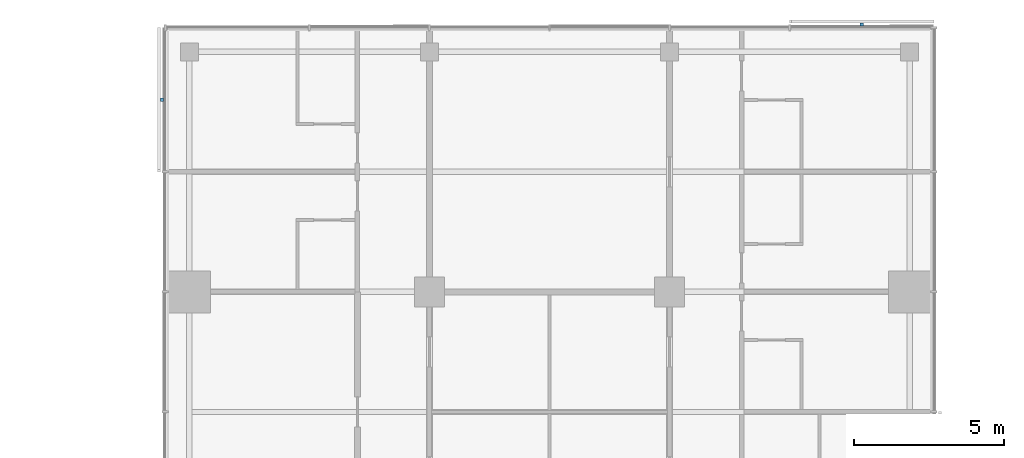
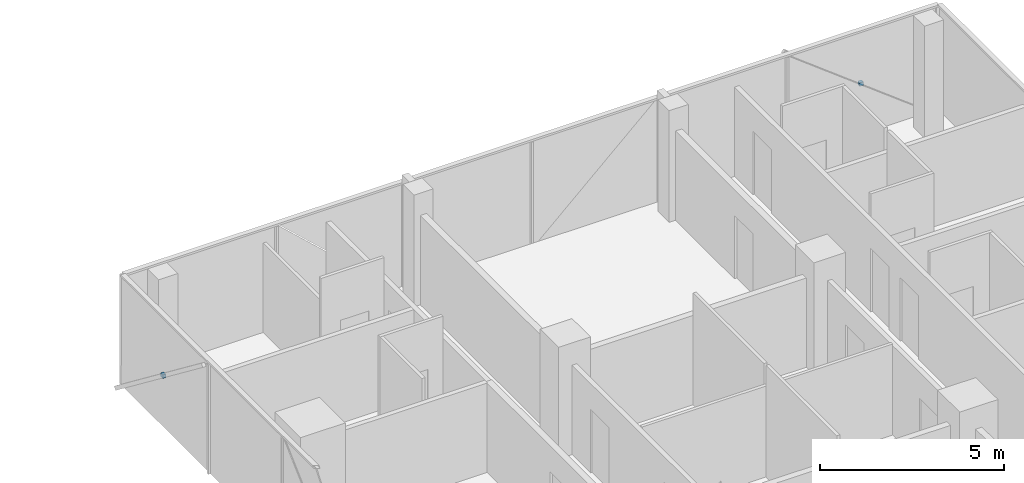
# One storey, part 26 of 27: 2 discrete accessories.
"""IFC4 building model written with IfcOpenShell, lengths in metres."""

from ifc_helpers import new_model, si_unit, direction, frame, origin, origin_2d, place, context, subcontext, project, spatial, rectangle, extrude, material, type_object, element, save


model = new_model("IFC4")

# Units and contexts
model_context = context("Model", 3, precision=1e-05, world=origin(), true_north=direction((0.0, 1.0)))
body_context = subcontext(model_context, "Body", "Model", "MODEL_VIEW")
ifc_project = project(units=[si_unit("LENGTHUNIT", "METRE"), si_unit("AREAUNIT", "SQUARE_METRE"), si_unit("VOLUMEUNIT", "CUBIC_METRE"), si_unit("PLANEANGLEUNIT", "RADIAN"), si_unit("MASSUNIT", "GRAM", prefix="KILO")], contexts=[model_context])

# Site, building, storey
site_placement = place(None, origin())
site = spatial("IfcSite", under=ifc_project, at=site_placement, CompositionType="ELEMENT")
building_placement = place(site_placement, origin())
building = spatial("IfcBuilding", under=site, at=building_placement, Name="Crosswind Convention Tower", CompositionType="ELEMENT")
storey_placement = place(building_placement, frame((0.0, 0.0, 75.699951171875)))
storey = spatial("IfcBuildingStorey", under=building, at=storey_placement, Name="L13", CompositionType="ELEMENT", Elevation=75.699951171875)

# Discrete accessories
ifc_material = material(Name="Stainless steel", Category="steel")
discrete_accessory_type = type_object("IfcDiscreteAccessoryType", Name="BAGUETTE BRACKET BK2", PredefinedType="BRACKET", material=ifc_material)
for number, where, z_axis, x_axis, name in (
    (1, (135.39990234375, 136.907958984375, 1.4775390625), (0.0, 0.0, 1.0), (-1.0, 0.0, 0.0), "BK2 baguette bracket"),
    (2, (112.092041015625, 134.39990234375, 1.4775390625), (0.0, 0.0, 1.0), (0.0, -1.0, 0.0), "BK2 baguette bracket"),
):
    element("IfcDiscreteAccessory", number, at=place(storey_placement, frame(where, z_axis=z_axis, x_axis=x_axis)), inside=storey, type_object=discrete_accessory_type, Name=name, PredefinedType="BRACKET", context=body_context, shape_type="SweptSolid", body=[
        extrude(rectangle(XDim=0.1201171875, YDim=0.10009765625, at=origin_2d()), origin(), (0.0, 0.0, 1.0), 0.1201171875),
    ])

save(model, "model.ifc")
